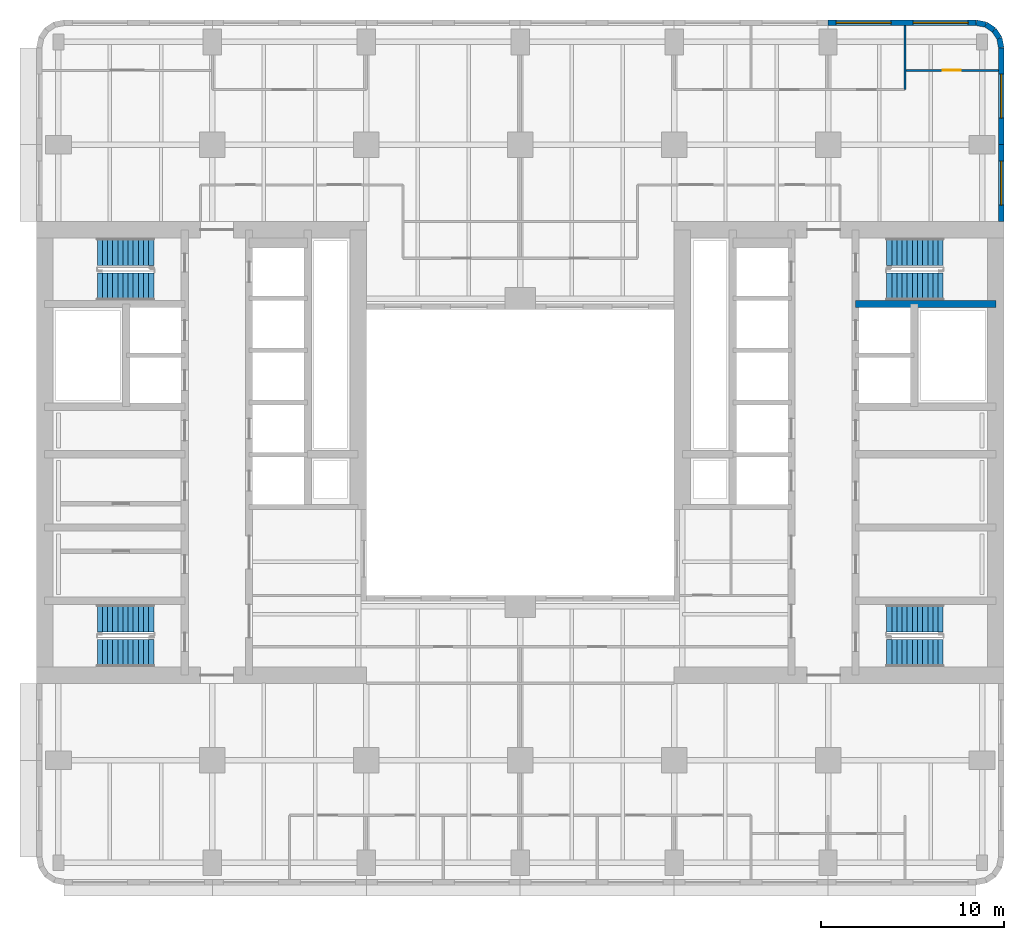
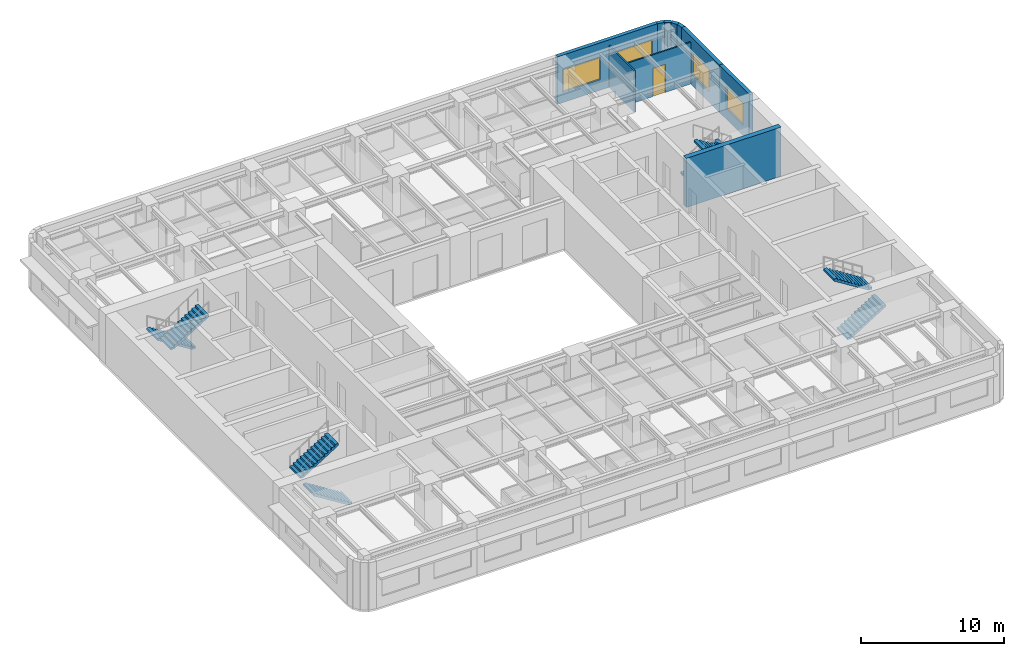
# One storey, part 8 of 11: 10 walls, 8 stair flights, 4 windows, 1 door, 5 openings, 4 elements without a shape of their own.
"""IFC4 building model written with IfcOpenShell, lengths in metres."""

from ifc_helpers import new_model, si_unit, direction, frame, frame_2d, origin, place, context, subcontext, project, spatial, polyline, rectangle, outline, extrude, material, layer, layer_set, type_object, element, fill, aggregate, save


model = new_model("IFC4")

# Units and contexts
model_context = context("Model", 3, precision=1e-05, world=origin(), true_north=direction((0.0, 1.0)))
body_context = subcontext(model_context, "Body", "Model", "MODEL_VIEW")
ifc_project = project(units=[si_unit("LENGTHUNIT", "METRE"), si_unit("AREAUNIT", "SQUARE_METRE"), si_unit("VOLUMEUNIT", "CUBIC_METRE"), si_unit("PLANEANGLEUNIT", "RADIAN"), si_unit("MASSUNIT", "GRAM", prefix="KILO")], contexts=[model_context])

# Site, building, storey
site_placement = place(None, origin())
site = spatial("IfcSite", under=ifc_project, at=site_placement, CompositionType="ELEMENT")
building_placement = place(site_placement, origin())
building = spatial("IfcBuilding", under=site, at=building_placement, Name="Claustro Exchange Tower", CompositionType="ELEMENT")
storey_placement = place(building_placement, frame((0.0, 0.0, 138.60009765625)))
storey = spatial("IfcBuildingStorey", under=building, at=storey_placement, Name="L31", CompositionType="ELEMENT", Elevation=138.60009765625)

# Wall, opening, door
ifc_material_1 = material(Name="Laminated glass in aluminium frame", Category="aluminium")
ifc_layer_1 = layer(ifc_material_1, 0.1201171875)
ifc_layer_set_1 = layer_set([ifc_layer_1], Name="Laminated glass in aluminium frame")
wall_type_1 = type_object("IfcWallType", Name="P2 120 glazed partition", PredefinedType="PARTITIONING", material=ifc_layer_set_1)
wall_1_placement = place(storey_placement, frame((46.258056640625, 46.050048828125, 0.0), z_axis=(0.0, 0.0, 1.0), x_axis=(1.0, 0.0, 0.0)))
wall_1 = element("IfcWall", 1, at=wall_1_placement, inside=storey, type_object=wall_type_1, Name="Partition P2 L31", PredefinedType="PARTITIONING", context=body_context, shape_type="SweptSolid", body=[
    extrude(rectangle(XDim=5.0439453125, YDim=0.1201171875, at=frame_2d((2.52197265625, 0.0))), origin(), (0.0, 0.0, 1.0), 3.559814453125),
])
opening_1_placement = place(wall_1_placement, frame((1.991943359375, 0.0, 0.0)))
opening_1 = element("IfcOpeningElement", 2, at=opening_1_placement, cuts=wall_1, Name="Opening D7", PredefinedType="OPENING", context=body_context, shape_type="SweptSolid", body=[
    extrude(rectangle(XDim=1.0, YDim=2.39990234375, at=frame_2d((0.5, 1.199951171875))), frame((0.0, 0.070068359375, 0.0), z_axis=(0.0, -1.0, 0.0), x_axis=(1.0, 0.0, 0.0)), (0.0, 0.0, 1.0), 0.14013671875),
])
ifc_material_2 = material(Name="Glass door in aluminium frame", Category="aluminium")
door_type = type_object("IfcDoorType", Name="D7 1000 x 2400 glazed door", OperationType="SINGLE_SWING_LEFT", PredefinedType="DOOR", material=ifc_material_2)
door_placement = place(opening_1_placement, origin())
door = element("IfcDoor", 3, at=door_placement, inside=storey, type_object=door_type, Name="Door D7 L31", OperationType="SINGLE_SWING_LEFT", OverallHeight=2.39990234375, OverallWidth=1.0, PredefinedType="DOOR", context=body_context, shape_type="SweptSolid", body=[
    extrude(rectangle(XDim=1.0, YDim=2.39990234375, at=frame_2d((0.5, 1.199951171875))), frame((0.0, 0.02490234375, 0.0), z_axis=(0.0, -1.0, 0.0), x_axis=(1.0, 0.0, 0.0)), (0.0, 0.0, 1.0), 0.050048828125),
])
fill(opening_1, door)

# Wall
wall_2_placement = place(storey_placement, frame((46.199951171875, 45.0, 0.0), z_axis=(0.0, 0.0, 1.0), x_axis=(0.0, 1.0, 0.0)))
element("IfcWall", 4, at=wall_2_placement, inside=storey, type_object=wall_type_1, Name="Partition P2 L31", PredefinedType="PARTITIONING", context=body_context, shape_type="SweptSolid", body=[
    extrude(rectangle(XDim=3.501953125, YDim=0.1201171875, at=frame_2d((1.7509765625, 0.0))), origin(), (0.0, 0.0, 1.0), 3.559814453125),
])

# Wall, openings, windows
ifc_material_3 = material(Name="Concrete HA-40 (C40/50), precast, white cement, acid-etched", Category="concrete")
ifc_layer_2 = layer(ifc_material_3, 0.300048828125)
ifc_layer_set_2 = layer_set([ifc_layer_2], Name="Concrete HA-40 (C40/50), precast, white cement, acid-etched")
wall_type_2 = type_object("IfcWallType", Name="PC1 300 precast concrete pier panel", PredefinedType="SOLIDWALL", material=ifc_layer_set_2)
wall_3_placement = place(storey_placement, frame((42.0, 48.64990234375, 0.0), z_axis=(0.0, 0.0, 1.0), x_axis=(1.0, 0.0, 0.0)))
wall_3 = element("IfcWall", 5, at=wall_3_placement, inside=storey, type_object=wall_type_2, Name="Precast pier panel PC1 L31", PredefinedType="SOLIDWALL", context=body_context, shape_type="SweptSolid", body=[
    extrude(rectangle(XDim=8.085205078125, YDim=0.300048828125, at=frame_2d((4.04248046875, 0.0))), origin(), (0.0, 0.0, 1.0), 4.0498046875),
])
opening_2_placement = place(wall_3_placement, frame((0.442626953125, 0.0, 0.89990234375)))
opening_2 = element("IfcOpeningElement", 6, at=opening_2_placement, cuts=wall_3, Name="Opening W1", PredefinedType="OPENING", context=body_context, shape_type="SweptSolid", body=[
    extrude(rectangle(XDim=3.0, YDim=1.89990234375, at=frame_2d((1.5, 0.949951171875))), frame((0.0, 0.159912109375, 0.0), z_axis=(0.0, -1.0, 0.0), x_axis=(1.0, 0.0, 0.0)), (0.0, 0.0, 1.0), 0.320068359375),
])
opening_3_placement = place(wall_3_placement, frame((4.642578125, 0.0, 0.89990234375)))
opening_3 = element("IfcOpeningElement", 7, at=opening_3_placement, cuts=wall_3, Name="Opening W1", PredefinedType="OPENING", context=body_context, shape_type="SweptSolid", body=[
    extrude(rectangle(XDim=3.0, YDim=1.89990234375, at=frame_2d((1.5, 0.949951171875))), frame((0.0, 0.159912109375, 0.0), z_axis=(0.0, -1.0, 0.0), x_axis=(1.0, 0.0, 0.0)), (0.0, 0.0, 1.0), 0.320068359375),
])
ifc_material_4 = material(Name="Aluminium frame, clear double glazing", Category="aluminium")
window_type_1 = type_object("IfcWindowType", Name="W1 3000 x 1900 window", PartitioningType="SINGLE_PANEL", PredefinedType="WINDOW", material=ifc_material_4)
window_1_placement = place(opening_2_placement, origin())
window_1 = element("IfcWindow", 8, at=window_1_placement, inside=storey, type_object=window_type_1, Name="Window W1 L31", OverallHeight=1.89990234375, OverallWidth=3.0, PartitioningType="SINGLE_PANEL", PredefinedType="WINDOW", context=body_context, shape_type="SweptSolid", body=[
    extrude(rectangle(XDim=3.0, YDim=1.89990234375, at=frame_2d((1.5, 0.949951171875))), frame((0.0, 0.030029296875, 0.0), z_axis=(0.0, -1.0, 0.0), x_axis=(1.0, 0.0, 0.0)), (0.0, 0.0, 1.0), 0.06005859375),
])
fill(opening_2, window_1)
window_2_placement = place(opening_3_placement, origin())
window_2 = element("IfcWindow", 9, at=window_2_placement, inside=storey, type_object=window_type_1, Name="Window W1 L31", OverallHeight=1.89990234375, OverallWidth=3.0, PartitioningType="SINGLE_PANEL", PredefinedType="WINDOW", context=body_context, shape_type="SweptSolid", body=[
    extrude(rectangle(XDim=3.0, YDim=1.89990234375, at=frame_2d((1.5, 0.949951171875))), frame((0.0, 0.030029296875, 0.0), z_axis=(0.0, -1.0, 0.0), x_axis=(1.0, 0.0, 0.0)), (0.0, 0.0, 1.0), 0.06005859375),
])
fill(opening_3, window_2)

# Walls
wall_4_placement = place(storey_placement, frame((50.085205078125, 48.64990234375, 0.0), z_axis=(0.0, 0.0, 1.0), x_axis=(0.980788534345, -0.195073962632, 0.0)))
element("IfcWall", 10, at=wall_4_placement, inside=storey, type_object=wall_type_2, Name="Precast pier panel PC1 L31", PredefinedType="SOLIDWALL", context=body_context, shape_type="SweptSolid", body=[
    extrude(rectangle(XDim=0.540771484375, YDim=0.300048828125, at=frame_2d((0.2705078125, 0.0))), origin(), (0.0, 0.0, 1.0), 4.0498046875),
])
wall_5_placement = place(storey_placement, frame((50.615478515625, 48.54443359375, 0.0), z_axis=(0.0, 0.0, 1.0), x_axis=(0.831692711774, -0.555236195849, 0.0)))
element("IfcWall", 11, at=wall_5_placement, inside=storey, type_object=wall_type_2, Name="Precast pier panel PC1 L31", PredefinedType="SOLIDWALL", context=body_context, shape_type="SweptSolid", body=[
    extrude(rectangle(XDim=0.525390625, YDim=0.300048828125, at=frame_2d((0.2626953125, 0.0))), origin(), (0.0, 0.0, 1.0), 4.0498046875),
])
wall_6_placement = place(storey_placement, frame((51.052490234375, 48.252685546875, 0.0), z_axis=(0.0, 0.0, 1.0), x_axis=(0.55534295404, -0.831621430339, 0.0)))
element("IfcWall", 12, at=wall_6_placement, inside=storey, type_object=wall_type_2, Name="Precast pier panel PC1 L31", PredefinedType="SOLIDWALL", context=body_context, shape_type="SweptSolid", body=[
    extrude(rectangle(XDim=0.52587890625, YDim=0.300048828125, at=frame_2d((0.262939453125, 0.0))), origin(), (0.0, 0.0, 1.0), 4.0498046875),
])
wall_7_placement = place(storey_placement, frame((51.344482421875, 47.8154296875, 0.0), z_axis=(0.0, 0.0, 1.0), x_axis=(0.195073962632, -0.980788534345, 0.0)))
element("IfcWall", 13, at=wall_7_placement, inside=storey, type_object=wall_type_2, Name="Precast pier panel PC1 L31", PredefinedType="SOLIDWALL", context=body_context, shape_type="SweptSolid", body=[
    extrude(rectangle(XDim=0.540771484375, YDim=0.300048828125, at=frame_2d((0.2705078125, 0.0))), origin(), (0.0, 0.0, 1.0), 4.0498046875),
])

# Wall, opening, window
wall_8_placement = place(storey_placement, frame((51.449951171875, 47.28515625, 0.0), z_axis=(0.0, 0.0, 1.0), x_axis=(0.0, -1.0, 0.0)))
wall_8 = element("IfcWall", 14, at=wall_8_placement, inside=storey, type_object=wall_type_2, Name="Precast pier panel PC1 L31", PredefinedType="SOLIDWALL", context=body_context, shape_type="SweptSolid", body=[
    extrude(rectangle(XDim=5.28515625, YDim=0.300048828125, at=frame_2d((2.642578125, 0.0))), origin(), (0.0, 0.0, 1.0), 4.0498046875),
])
opening_4_placement = place(wall_8_placement, frame((1.442626953125, 0.0, 0.89990234375)))
opening_4 = element("IfcOpeningElement", 15, at=opening_4_placement, cuts=wall_8, Name="Opening W2", PredefinedType="OPENING", context=body_context, shape_type="SweptSolid", body=[
    extrude(rectangle(XDim=2.39990234375, YDim=1.89990234375, at=frame_2d((1.199951171875, 0.949951171875))), frame((0.0, 0.159912109375, 0.0), z_axis=(0.0, -1.0, 0.0), x_axis=(1.0, 0.0, 0.0)), (0.0, 0.0, 1.0), 0.320068359375),
])
ifc_material_5 = material(Name="Aluminium frame, clear double glazing", Category="aluminium")
window_type_2 = type_object("IfcWindowType", Name="W2 2400 x 1900 window", PartitioningType="SINGLE_PANEL", PredefinedType="WINDOW", material=ifc_material_5)
window_3_placement = place(opening_4_placement, origin())
window_3 = element("IfcWindow", 16, at=window_3_placement, inside=storey, type_object=window_type_2, Name="Window W2 L31", OverallHeight=1.89990234375, OverallWidth=2.39990234375, PartitioningType="SINGLE_PANEL", PredefinedType="WINDOW", context=body_context, shape_type="SweptSolid", body=[
    extrude(rectangle(XDim=2.39990234375, YDim=1.89990234375, at=frame_2d((1.199951171875, 0.949951171875))), frame((0.0, 0.030029296875, 0.0), z_axis=(0.0, -1.0, 0.0), x_axis=(1.0, 0.0, 0.0)), (0.0, 0.0, 1.0), 0.06005859375),
])
fill(opening_4, window_3)

wall_9_placement = place(storey_placement, frame((51.449951171875, 42.0, 0.0), z_axis=(0.0, 0.0, 1.0), x_axis=(0.0, -1.0, 0.0)))
wall_9 = element("IfcWall", 17, at=wall_9_placement, inside=storey, type_object=wall_type_2, Name="Precast pier panel PC1 L31", PredefinedType="SOLIDWALL", context=body_context, shape_type="SweptSolid", body=[
    extrude(rectangle(XDim=4.199951171875, YDim=0.300048828125, at=frame_2d((2.10009765625, 0.0))), origin(), (0.0, 0.0, 1.0), 4.0498046875),
])
opening_5_placement = place(wall_9_placement, frame((0.89990234375, 0.0, 0.89990234375)))
opening_5 = element("IfcOpeningElement", 18, at=opening_5_placement, cuts=wall_9, Name="Opening W2", PredefinedType="OPENING", context=body_context, shape_type="SweptSolid", body=[
    extrude(rectangle(XDim=2.39990234375, YDim=1.89990234375, at=frame_2d((1.199951171875, 0.949951171875))), frame((0.0, 0.159912109375, 0.0), z_axis=(0.0, -1.0, 0.0), x_axis=(1.0, 0.0, 0.0)), (0.0, 0.0, 1.0), 0.320068359375),
])
window_4_placement = place(opening_5_placement, origin())
window_4 = element("IfcWindow", 19, at=window_4_placement, inside=storey, type_object=window_type_2, Name="Window W2 L31", OverallHeight=1.89990234375, OverallWidth=2.39990234375, PartitioningType="SINGLE_PANEL", PredefinedType="WINDOW", context=body_context, shape_type="SweptSolid", body=[
    extrude(rectangle(XDim=2.39990234375, YDim=1.89990234375, at=frame_2d((1.199951171875, 0.949951171875))), frame((0.0, 0.030029296875, 0.0), z_axis=(0.0, -1.0, 0.0), x_axis=(1.0, 0.0, 0.0)), (0.0, 0.0, 1.0), 0.06005859375),
])
fill(opening_5, window_4)

# Wall
ifc_material_6 = material(Name="Concrete HA-50 (C50/60)", Category="concrete")
ifc_layer_3 = layer(ifc_material_6, 0.39990234375)
ifc_layer_set_3 = layer_set([ifc_layer_3], Name="Concrete HA-50 (C50/60)")
wall_type_3 = type_object("IfcWallType", Name="SW4 400 internal core wall", PredefinedType="SHEAR", material=ifc_layer_set_3)
wall_10_placement = place(storey_placement, frame((51.14990234375, 33.300048828125, 0.0), z_axis=(0.0, 0.0, 1.0), x_axis=(-1.0, 0.0, 0.0)))
element("IfcWall", 20, at=wall_10_placement, inside=storey, type_object=wall_type_3, Name="Internal core wall SW4 E core L31", PredefinedType="SHEAR", context=body_context, shape_type="SweptSolid", body=[
    extrude(rectangle(XDim=7.64990234375, YDim=0.39990234375, at=frame_2d((3.824951171875, 0.0))), origin(), (0.0, 0.0, 1.0), 4.199951171875),
])

# Stair, stair flights
ifc_material_7 = material(Name="Concrete HA-30 (C30/37), precast", Category="concrete")
stair_type = type_object("IfcStairType", Name="ST1 half-turn stair, 24 risers of 175", PredefinedType="HALF_TURN_STAIR", material=ifc_material_7)
stair_1_placement = place(storey_placement, origin())
stair_1 = element("IfcStair", 21, at=stair_1_placement, inside=storey, type_object=stair_type, Name="Stair STWA L31", PredefinedType="HALF_TURN_STAIR")
ifc_material_8 = material(Name="Concrete HA-30 (C30/37), precast", Category="concrete")
stair_flight_type = type_object("IfcStairFlightType", Name="SF12A straight flight, 12 risers of 175, 1500 wide", PredefinedType="STRAIGHT", material=ifc_material_8)
stair_flight_1_placement = place(storey_placement, frame((5.199951171875, 14.25, 0.0), z_axis=(0.0, 0.0, 1.0), x_axis=(-1.0, 0.0, 0.0)))
stair_flight_1 = element("IfcStairFlight", 22, at=stair_flight_1_placement, type_object=stair_flight_type, Name="STWA flight 1", NumberOfRisers=12, NumberOfTreads=11, PredefinedType="STRAIGHT", RiserHeight=0.175, TreadLength=0.28, context=body_context, shape_type="SweptSolid", body=[
    extrude(outline(polyline([(0.0, 0.0), (0.0, 0.175048828125), (0.280029296875, 0.175048828125), (0.280029296875, 0.35009765625), (0.56005859375, 0.35009765625), (0.56005859375, 0.52490234375), (0.840087890625, 0.52490234375), (0.840087890625, 0.699951171875), (1.1201171875, 0.699951171875), (1.1201171875, 0.875), (1.39990234375, 0.875), (1.39990234375, 1.050048828125), (1.679931640625, 1.050048828125), (1.679931640625, 1.22509765625), (1.9599609375, 1.22509765625), (1.9599609375, 1.39990234375), (2.239990234375, 1.39990234375), (2.239990234375, 1.574951171875), (2.52001953125, 1.574951171875), (2.52001953125, 1.75), (2.800048828125, 1.75), (2.800048828125, 1.925048828125), (3.080078125, 1.925048828125), (3.080078125, 2.10009765625), (3.080078125, 1.748291015625), (0.28271484375, 0.0), (0.0, 0.0)])), frame((0.0, 0.75, 0.0), z_axis=(0.0, -1.0, 0.0), x_axis=(1.0, 0.0, 0.0)), (0.0, 0.0, 1.0), 1.5),
])
stair_flight_2_placement = place(storey_placement, frame((2.1201171875, 16.14990234375, 2.099853515625), z_axis=(0.0, 0.0, 1.0), x_axis=(1.0, 0.0, 0.0)))
stair_flight_2 = element("IfcStairFlight", 23, at=stair_flight_2_placement, type_object=stair_flight_type, Name="STWA flight 2", NumberOfRisers=12, NumberOfTreads=11, PredefinedType="STRAIGHT", RiserHeight=0.175, TreadLength=0.28, context=body_context, shape_type="SweptSolid", body=[
    extrude(outline(polyline([(0.0, 0.0), (0.0, 0.175048828125), (0.280029296875, 0.175048828125), (0.280029296875, 0.35009765625), (0.56005859375, 0.35009765625), (0.56005859375, 0.52490234375), (0.840087890625, 0.52490234375), (0.840087890625, 0.699951171875), (1.1201171875, 0.699951171875), (1.1201171875, 0.875), (1.39990234375, 0.875), (1.39990234375, 1.050048828125), (1.679931640625, 1.050048828125), (1.679931640625, 1.22509765625), (1.9599609375, 1.22509765625), (1.9599609375, 1.39990234375), (2.239990234375, 1.39990234375), (2.239990234375, 1.574951171875), (2.52001953125, 1.574951171875), (2.52001953125, 1.75), (2.800048828125, 1.75), (2.800048828125, 1.925048828125), (3.080078125, 1.925048828125), (3.080078125, 2.10009765625), (3.080078125, 1.748291015625), (0.28271484375, 0.0), (0.0, 0.0)])), frame((0.0, 0.75, 0.0), z_axis=(0.0, -1.0, 0.0), x_axis=(1.0, 0.0, 0.0)), (0.0, 0.0, 1.0), 1.5),
])
aggregate(stair_1, [stair_flight_1, stair_flight_2])

stair_2_placement = place(storey_placement, origin())
stair_2 = element("IfcStair", 24, at=stair_2_placement, inside=storey, type_object=stair_type, Name="Stair STWB L31", PredefinedType="HALF_TURN_STAIR")
stair_flight_3_placement = place(storey_placement, frame((5.199951171875, 36.14990234375, 0.0), z_axis=(0.0, 0.0, 1.0), x_axis=(-1.0, 0.0, 0.0)))
stair_flight_3 = element("IfcStairFlight", 25, at=stair_flight_3_placement, type_object=stair_flight_type, Name="STWB flight 1", NumberOfRisers=12, NumberOfTreads=11, PredefinedType="STRAIGHT", RiserHeight=0.175, TreadLength=0.28, context=body_context, shape_type="SweptSolid", body=[
    extrude(outline(polyline([(0.0, 0.0), (0.0, 0.175048828125), (0.280029296875, 0.175048828125), (0.280029296875, 0.35009765625), (0.56005859375, 0.35009765625), (0.56005859375, 0.52490234375), (0.840087890625, 0.52490234375), (0.840087890625, 0.699951171875), (1.1201171875, 0.699951171875), (1.1201171875, 0.875), (1.39990234375, 0.875), (1.39990234375, 1.050048828125), (1.679931640625, 1.050048828125), (1.679931640625, 1.22509765625), (1.9599609375, 1.22509765625), (1.9599609375, 1.39990234375), (2.239990234375, 1.39990234375), (2.239990234375, 1.574951171875), (2.52001953125, 1.574951171875), (2.52001953125, 1.75), (2.800048828125, 1.75), (2.800048828125, 1.925048828125), (3.080078125, 1.925048828125), (3.080078125, 2.10009765625), (3.080078125, 1.748291015625), (0.28271484375, 0.0), (0.0, 0.0)])), frame((0.0, 0.75, 0.0), z_axis=(0.0, -1.0, 0.0), x_axis=(1.0, 0.0, 0.0)), (0.0, 0.0, 1.0), 1.5),
])
stair_flight_4_placement = place(storey_placement, frame((2.1201171875, 34.25, 2.099853515625), z_axis=(0.0, 0.0, 1.0), x_axis=(1.0, 0.0, 0.0)))
stair_flight_4 = element("IfcStairFlight", 26, at=stair_flight_4_placement, type_object=stair_flight_type, Name="STWB flight 2", NumberOfRisers=12, NumberOfTreads=11, PredefinedType="STRAIGHT", RiserHeight=0.175, TreadLength=0.28, context=body_context, shape_type="SweptSolid", body=[
    extrude(outline(polyline([(0.0, 0.0), (0.0, 0.175048828125), (0.280029296875, 0.175048828125), (0.280029296875, 0.35009765625), (0.56005859375, 0.35009765625), (0.56005859375, 0.52490234375), (0.840087890625, 0.52490234375), (0.840087890625, 0.699951171875), (1.1201171875, 0.699951171875), (1.1201171875, 0.875), (1.39990234375, 0.875), (1.39990234375, 1.050048828125), (1.679931640625, 1.050048828125), (1.679931640625, 1.22509765625), (1.9599609375, 1.22509765625), (1.9599609375, 1.39990234375), (2.239990234375, 1.39990234375), (2.239990234375, 1.574951171875), (2.52001953125, 1.574951171875), (2.52001953125, 1.75), (2.800048828125, 1.75), (2.800048828125, 1.925048828125), (3.080078125, 1.925048828125), (3.080078125, 2.10009765625), (3.080078125, 1.748291015625), (0.28271484375, 0.0), (0.0, 0.0)])), frame((0.0, 0.75, 0.0), z_axis=(0.0, -1.0, 0.0), x_axis=(1.0, 0.0, 0.0)), (0.0, 0.0, 1.0), 1.5),
])
aggregate(stair_2, [stair_flight_3, stair_flight_4])

stair_3_placement = place(storey_placement, origin())
stair_3 = element("IfcStair", 27, at=stair_3_placement, inside=storey, type_object=stair_type, Name="Stair STEA L31", PredefinedType="HALF_TURN_STAIR")
stair_flight_5_placement = place(storey_placement, frame((45.199951171875, 14.25, 0.0), z_axis=(0.0, 0.0, 1.0), x_axis=(1.0, 0.0, 0.0)))
stair_flight_5 = element("IfcStairFlight", 28, at=stair_flight_5_placement, type_object=stair_flight_type, Name="STEA flight 1", NumberOfRisers=12, NumberOfTreads=11, PredefinedType="STRAIGHT", RiserHeight=0.175, TreadLength=0.28, context=body_context, shape_type="SweptSolid", body=[
    extrude(outline(polyline([(0.0, 0.0), (0.0, 0.175048828125), (0.280029296875, 0.175048828125), (0.280029296875, 0.35009765625), (0.56005859375, 0.35009765625), (0.56005859375, 0.52490234375), (0.840087890625, 0.52490234375), (0.840087890625, 0.699951171875), (1.1201171875, 0.699951171875), (1.1201171875, 0.875), (1.39990234375, 0.875), (1.39990234375, 1.050048828125), (1.679931640625, 1.050048828125), (1.679931640625, 1.22509765625), (1.9599609375, 1.22509765625), (1.9599609375, 1.39990234375), (2.239990234375, 1.39990234375), (2.239990234375, 1.574951171875), (2.52001953125, 1.574951171875), (2.52001953125, 1.75), (2.800048828125, 1.75), (2.800048828125, 1.925048828125), (3.080078125, 1.925048828125), (3.080078125, 2.10009765625), (3.080078125, 1.748291015625), (0.28271484375, 0.0), (0.0, 0.0)])), frame((0.0, 0.75, 0.0), z_axis=(0.0, -1.0, 0.0), x_axis=(1.0, 0.0, 0.0)), (0.0, 0.0, 1.0), 1.5),
])
stair_flight_6_placement = place(storey_placement, frame((48.280029296875, 16.14990234375, 2.099853515625), z_axis=(0.0, 0.0, 1.0), x_axis=(-1.0, 0.0, 0.0)))
stair_flight_6 = element("IfcStairFlight", 29, at=stair_flight_6_placement, type_object=stair_flight_type, Name="STEA flight 2", NumberOfRisers=12, NumberOfTreads=11, PredefinedType="STRAIGHT", RiserHeight=0.175, TreadLength=0.28, context=body_context, shape_type="SweptSolid", body=[
    extrude(outline(polyline([(0.0, 0.0), (0.0, 0.175048828125), (0.280029296875, 0.175048828125), (0.280029296875, 0.35009765625), (0.56005859375, 0.35009765625), (0.56005859375, 0.52490234375), (0.840087890625, 0.52490234375), (0.840087890625, 0.699951171875), (1.1201171875, 0.699951171875), (1.1201171875, 0.875), (1.39990234375, 0.875), (1.39990234375, 1.050048828125), (1.679931640625, 1.050048828125), (1.679931640625, 1.22509765625), (1.9599609375, 1.22509765625), (1.9599609375, 1.39990234375), (2.239990234375, 1.39990234375), (2.239990234375, 1.574951171875), (2.52001953125, 1.574951171875), (2.52001953125, 1.75), (2.800048828125, 1.75), (2.800048828125, 1.925048828125), (3.080078125, 1.925048828125), (3.080078125, 2.10009765625), (3.080078125, 1.748291015625), (0.28271484375, 0.0), (0.0, 0.0)])), frame((0.0, 0.75, 0.0), z_axis=(0.0, -1.0, 0.0), x_axis=(1.0, 0.0, 0.0)), (0.0, 0.0, 1.0), 1.5),
])
aggregate(stair_3, [stair_flight_5, stair_flight_6])

stair_4_placement = place(storey_placement, origin())
stair_4 = element("IfcStair", 30, at=stair_4_placement, inside=storey, type_object=stair_type, Name="Stair STEB L31", PredefinedType="HALF_TURN_STAIR")
stair_flight_7_placement = place(storey_placement, frame((45.199951171875, 36.14990234375, 0.0), z_axis=(0.0, 0.0, 1.0), x_axis=(1.0, 0.0, 0.0)))
stair_flight_7 = element("IfcStairFlight", 31, at=stair_flight_7_placement, type_object=stair_flight_type, Name="STEB flight 1", NumberOfRisers=12, NumberOfTreads=11, PredefinedType="STRAIGHT", RiserHeight=0.175, TreadLength=0.28, context=body_context, shape_type="SweptSolid", body=[
    extrude(outline(polyline([(0.0, 0.0), (0.0, 0.175048828125), (0.280029296875, 0.175048828125), (0.280029296875, 0.35009765625), (0.56005859375, 0.35009765625), (0.56005859375, 0.52490234375), (0.840087890625, 0.52490234375), (0.840087890625, 0.699951171875), (1.1201171875, 0.699951171875), (1.1201171875, 0.875), (1.39990234375, 0.875), (1.39990234375, 1.050048828125), (1.679931640625, 1.050048828125), (1.679931640625, 1.22509765625), (1.9599609375, 1.22509765625), (1.9599609375, 1.39990234375), (2.239990234375, 1.39990234375), (2.239990234375, 1.574951171875), (2.52001953125, 1.574951171875), (2.52001953125, 1.75), (2.800048828125, 1.75), (2.800048828125, 1.925048828125), (3.080078125, 1.925048828125), (3.080078125, 2.10009765625), (3.080078125, 1.748291015625), (0.28271484375, 0.0), (0.0, 0.0)])), frame((0.0, 0.75, 0.0), z_axis=(0.0, -1.0, 0.0), x_axis=(1.0, 0.0, 0.0)), (0.0, 0.0, 1.0), 1.5),
])
stair_flight_8_placement = place(storey_placement, frame((48.280029296875, 34.25, 2.099853515625), z_axis=(0.0, 0.0, 1.0), x_axis=(-1.0, 0.0, 0.0)))
stair_flight_8 = element("IfcStairFlight", 32, at=stair_flight_8_placement, type_object=stair_flight_type, Name="STEB flight 2", NumberOfRisers=12, NumberOfTreads=11, PredefinedType="STRAIGHT", RiserHeight=0.175, TreadLength=0.28, context=body_context, shape_type="SweptSolid", body=[
    extrude(outline(polyline([(0.0, 0.0), (0.0, 0.175048828125), (0.280029296875, 0.175048828125), (0.280029296875, 0.35009765625), (0.56005859375, 0.35009765625), (0.56005859375, 0.52490234375), (0.840087890625, 0.52490234375), (0.840087890625, 0.699951171875), (1.1201171875, 0.699951171875), (1.1201171875, 0.875), (1.39990234375, 0.875), (1.39990234375, 1.050048828125), (1.679931640625, 1.050048828125), (1.679931640625, 1.22509765625), (1.9599609375, 1.22509765625), (1.9599609375, 1.39990234375), (2.239990234375, 1.39990234375), (2.239990234375, 1.574951171875), (2.52001953125, 1.574951171875), (2.52001953125, 1.75), (2.800048828125, 1.75), (2.800048828125, 1.925048828125), (3.080078125, 1.925048828125), (3.080078125, 2.10009765625), (3.080078125, 1.748291015625), (0.28271484375, 0.0), (0.0, 0.0)])), frame((0.0, 0.75, 0.0), z_axis=(0.0, -1.0, 0.0), x_axis=(1.0, 0.0, 0.0)), (0.0, 0.0, 1.0), 1.5),
])
aggregate(stair_4, [stair_flight_7, stair_flight_8])

save(model, "model.ifc")
